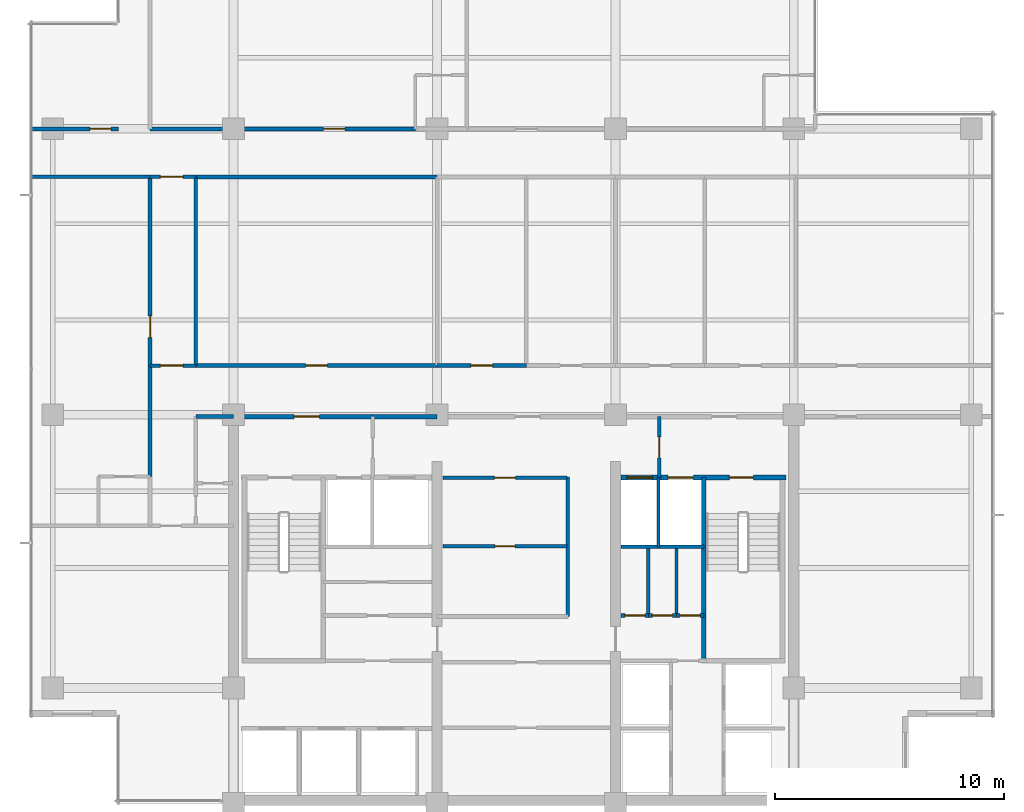
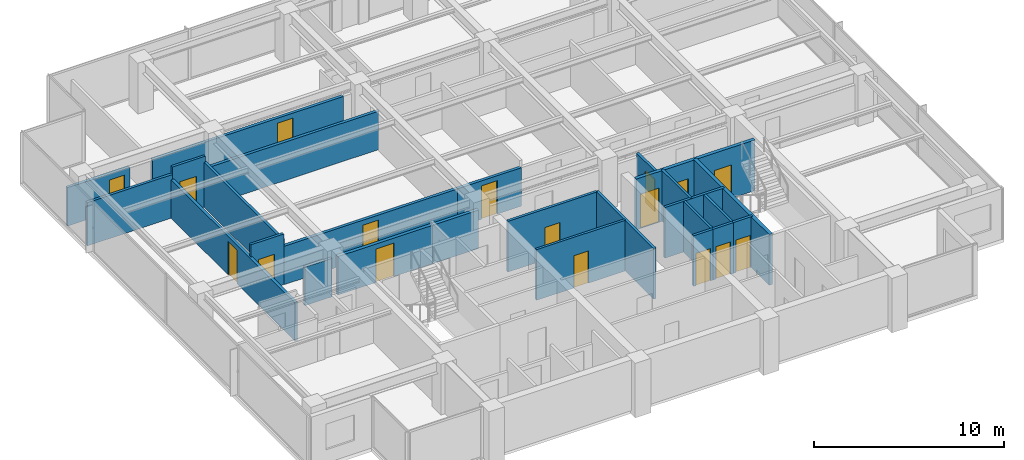
# One storey, part 8 of 15: 26 walls, 17 doors, 17 openings.
"""IFC4 building model written with IfcOpenShell, lengths in metres."""

from ifc_helpers import new_model, si_unit, direction, frame, frame_2d, origin, place, context, subcontext, project, spatial, rectangle, extrude, material, layer, layer_set, type_object, element, fill, save


model = new_model("IFC4")

# Units and contexts
model_context = context("Model", 3, precision=1e-05, world=origin(), true_north=direction((0.0, 1.0)))
body_context = subcontext(model_context, "Body", "Model", "MODEL_VIEW")
ifc_project = project(units=[si_unit("LENGTHUNIT", "METRE"), si_unit("AREAUNIT", "SQUARE_METRE"), si_unit("VOLUMEUNIT", "CUBIC_METRE"), si_unit("PLANEANGLEUNIT", "RADIAN"), si_unit("MASSUNIT", "GRAM", prefix="KILO")], contexts=[model_context])

# Site, building, storey
site_placement = place(None, origin())
site = spatial("IfcSite", under=ifc_project, at=site_placement, CompositionType="ELEMENT")
building_placement = place(site_placement, origin())
building = spatial("IfcBuilding", under=site, at=building_placement, Name="Qalmaran Belvedere Hotel", CompositionType="ELEMENT")
storey_placement = place(building_placement, frame((0.0, 0.0, 221.39990234375)))
storey = spatial("IfcBuildingStorey", under=building, at=storey_placement, Name="L56", CompositionType="ELEMENT", Elevation=221.39990234375)

# Walls
ifc_material_1 = material(Name="Gypsum Stud Partition")
ifc_layer_1 = layer(ifc_material_1, 0.14990234375, Name="Gypsum Stud Partition")
ifc_layer_set_1 = layer_set([ifc_layer_1], Name="Gypsum Stud Partition")
wall_type_1 = type_object("IfcWallType", Name="WL-INT-150-EI120", PredefinedType="PARTITIONING", material=ifc_layer_set_1)
wall_1_placement = place(storey_placement, frame((38.8798828125, 14.719970703125, 0.0), z_axis=(0.0, 0.0, 1.0), x_axis=(0.0, 1.0, 0.0)))
element("IfcWall", 1, at=wall_1_placement, inside=storey, type_object=wall_type_1, Name="L56 Partition WL-FF2M-L56", PredefinedType="PARTITIONING", context=body_context, shape_type="SweptSolid", body=[
    extrude(rectangle(XDim=3.0400390625, YDim=0.14990234375, at=frame_2d((1.52001953125, 0.0))), origin(), (0.0, 0.0, 1.0), 3.260009765625),
])
ifc_layer_2 = layer(ifc_material_1, 0.14990234375, Name="Gypsum Stud Partition")
ifc_layer_set_2 = layer_set([ifc_layer_2], Name="Gypsum Stud Partition")
wall_type_2 = type_object("IfcWallType", Name="WL-INT-150-EI60", PredefinedType="PARTITIONING", material=ifc_layer_set_2)
for number, where, z_axis, x_axis, name in (
    (2, (38.44140625, 11.719970703125, 0.0), (0.0, 0.0, 1.0), (0.0, 1.0, 0.0), "L56 Partition WL-L56-KEV1"),
    (3, (39.668701171875, 11.719970703125, 0.0), (0.0, 0.0, 1.0), (0.0, 1.0, 0.0), "L56 Partition WL-L56-KEV2"),
):
    element("IfcWall", number, at=place(storey_placement, frame(where, z_axis=z_axis, x_axis=x_axis)), inside=storey, type_object=wall_type_2, Name=name, PredefinedType="PARTITIONING", context=body_context, shape_type="SweptSolid", body=[
        extrude(rectangle(XDim=2.929931640625, YDim=0.14990234375, at=frame_2d((1.46484375, 0.0))), origin(), (0.0, 0.0, 1.0), 3.260009765625),
    ])

# Wall, opening, door
wall_2_placement = place(storey_placement, frame((29.449951171875, 14.7451171875, 0.0), z_axis=(0.0, 0.0, 1.0), x_axis=(1.0, 0.0, 0.0)))
wall_2 = element("IfcWall", 4, at=wall_2_placement, inside=storey, type_object=wall_type_2, Name="L56 Partition WL-L56-KPMHM", PredefinedType="PARTITIONING", context=body_context, shape_type="SweptSolid", body=[
    extrude(rectangle(XDim=5.429931640625, YDim=0.14990234375, at=frame_2d((2.71484375, 0.0))), origin(), (0.0, 0.0, 1.0), 3.260009765625),
])
opening_1_placement = place(wall_2_placement, frame((3.15478515625, 0.0, 0.0), z_axis=(0.0, 0.0, 1.0), x_axis=(-1.0, 0.0, 0.0)))
opening_1 = element("IfcOpeningElement", 5, at=opening_1_placement, cuts=wall_2, Name="Opening FD60B", PredefinedType="OPENING", context=body_context, shape_type="SweptSolid", body=[
    extrude(rectangle(XDim=0.8798828125, YDim=2.080078125, at=frame_2d((0.43994140625, 1.0400390625))), frame((0.0, 0.0849609375, 0.0), z_axis=(0.0, -1.0, 0.0), x_axis=(1.0, 0.0, 0.0)), (0.0, 0.0, 1.0), 0.169921875),
])
ifc_material_2 = material(Name="Steel S355JR", Category="steel")
door_type_1 = type_object("IfcDoorType", Name="DR-FD60B-880X2080", OperationType="NOTDEFINED", PredefinedType="DOOR", material=ifc_material_2)
door_1_placement = place(opening_1_placement, origin())
door_1 = element("IfcDoor", 6, at=door_1_placement, inside=storey, type_object=door_type_1, Name="L56 Executive Butler Pantry Door", OperationType="SINGLE_SWING_LEFT", OverallHeight=2.080078125, OverallWidth=0.8798828125, PredefinedType="DOOR", context=body_context, shape_type="SweptSolid", body=[
    extrude(rectangle(XDim=0.8798828125, YDim=2.080078125, at=frame_2d((0.43994140625, 1.0400390625))), frame((0.0, 0.02490234375, 0.0), z_axis=(0.0, -1.0, 0.0), x_axis=(1.0, 0.0, 0.0)), (0.0, 0.0, 1.0), 0.050048828125),
])
fill(opening_1, door_1)

wall_3_placement = place(storey_placement, frame((16.64990234375, 22.64990234375, 0.0), z_axis=(0.0, 0.0, 1.0), x_axis=(1.0, 0.0, 0.0)))
wall_3 = element("IfcWall", 7, at=wall_3_placement, inside=storey, type_object=wall_type_2, Name="L56 Partition WL-L56-XCW1", PredefinedType="PARTITIONING", context=body_context, shape_type="SweptSolid", body=[
    extrude(rectangle(XDim=2.0, YDim=0.14990234375, at=frame_2d((1.0, 0.0))), origin(), (0.0, 0.0, 1.0), 3.260009765625),
])
opening_2_placement = place(wall_3_placement, frame((0.449951171875, 0.0, 0.0)))
opening_2 = element("IfcOpeningElement", 8, at=opening_2_placement, cuts=wall_3, Name="Opening FD90B", PredefinedType="OPENING", context=body_context, shape_type="SweptSolid", body=[
    extrude(rectangle(XDim=1.0, YDim=2.14990234375, at=frame_2d((0.5, 1.074951171875))), frame((0.0, 0.0849609375, 0.0), z_axis=(0.0, -1.0, 0.0), x_axis=(1.0, 0.0, 0.0)), (0.0, 0.0, 1.0), 0.169921875),
])
door_type_2 = type_object("IfcDoorType", Name="DR-FD90B-1000X2150", OperationType="NOTDEFINED", PredefinedType="DOOR", material=ifc_material_2)
door_2_placement = place(opening_2_placement, origin())
door_2 = element("IfcDoor", 9, at=door_2_placement, inside=storey, type_object=door_type_2, Name="L56 West Corridor Smoke Door S", OperationType="SINGLE_SWING_RIGHT", OverallHeight=2.14990234375, OverallWidth=1.0, PredefinedType="DOOR", context=body_context, shape_type="SweptSolid", body=[
    extrude(rectangle(XDim=1.0, YDim=2.14990234375, at=frame_2d((0.5, 1.074951171875))), frame((0.0, 0.02490234375, 0.0), z_axis=(0.0, -1.0, 0.0), x_axis=(1.0, 0.0, 0.0)), (0.0, 0.0, 1.0), 0.050048828125),
])
fill(opening_2, door_2)

wall_4_placement = place(storey_placement, frame((16.64990234375, 30.89990234375, 0.0), z_axis=(0.0, 0.0, 1.0), x_axis=(1.0, 0.0, 0.0)))
wall_4 = element("IfcWall", 10, at=wall_4_placement, inside=storey, type_object=wall_type_2, Name="L56 Partition WL-L56-XCW2", PredefinedType="PARTITIONING", context=body_context, shape_type="SweptSolid", body=[
    extrude(rectangle(XDim=2.0, YDim=0.14990234375, at=frame_2d((1.0, 0.0))), origin(), (0.0, 0.0, 1.0), 3.260009765625),
])
opening_3_placement = place(wall_4_placement, frame((0.449951171875, 0.0, 0.0)))
opening_3 = element("IfcOpeningElement", 11, at=opening_3_placement, cuts=wall_4, Name="Opening FD90B", PredefinedType="OPENING", context=body_context, shape_type="SweptSolid", body=[
    extrude(rectangle(XDim=1.0, YDim=2.14990234375, at=frame_2d((0.5, 1.074951171875))), frame((0.0, 0.0849609375, 0.0), z_axis=(0.0, -1.0, 0.0), x_axis=(1.0, 0.0, 0.0)), (0.0, 0.0, 1.0), 0.169921875),
])
door_3_placement = place(opening_3_placement, origin())
door_3 = element("IfcDoor", 12, at=door_3_placement, inside=storey, type_object=door_type_2, Name="L56 West Corridor Smoke Door N", OperationType="SINGLE_SWING_LEFT", OverallHeight=2.14990234375, OverallWidth=1.0, PredefinedType="DOOR", context=body_context, shape_type="SweptSolid", body=[
    extrude(rectangle(XDim=1.0, YDim=2.14990234375, at=frame_2d((0.5, 1.074951171875))), frame((0.0, 0.02490234375, 0.0), z_axis=(0.0, -1.0, 0.0), x_axis=(1.0, 0.0, 0.0)), (0.0, 0.0, 1.0), 0.050048828125),
])
fill(opening_3, door_3)

ifc_layer_3 = layer(ifc_material_1, 0.159912109375, Name="Gypsum Stud Partition")
ifc_layer_set_3 = layer_set([ifc_layer_3], Name="Gypsum Stud Partition")
wall_type_3 = type_object("IfcWallType", Name="WL-INT-160-EI120", PredefinedType="PARTITIONING", material=ifc_layer_set_3)
wall_5_placement = place(storey_placement, frame((38.919921875, 17.760009765625, 0.0), z_axis=(0.0, 0.0, 1.0), x_axis=(0.0, 1.0, 0.0)))
wall_5 = element("IfcWall", 13, at=wall_5_placement, inside=storey, type_object=wall_type_3, Name="L56 Partition WL-FFSV2-L56", PredefinedType="PARTITIONING", context=body_context, shape_type="SweptSolid", body=[
    extrude(rectangle(XDim=2.659912109375, YDim=0.159912109375, at=frame_2d((1.330078125, 0.0))), origin(), (0.0, 0.0, 1.0), 2.7060546875),
])
opening_4_placement = place(wall_5_placement, frame((1.77001953125, 0.0, 0.0), z_axis=(0.0, 0.0, 1.0), x_axis=(-1.0, 0.0, 0.0)))
opening_4 = element("IfcOpeningElement", 14, at=opening_4_placement, cuts=wall_5, Name="Opening FD60S1", PredefinedType="OPENING", context=body_context, shape_type="SweptSolid", body=[
    extrude(rectangle(XDim=0.919921875, YDim=2.080078125, at=frame_2d((0.4599609375, 1.0400390625))), frame((0.0, 0.08984375, 0.0), z_axis=(0.0, -1.0, 0.0), x_axis=(1.0, 0.0, 0.0)), (0.0, 0.0, 1.0), 0.179931640625),
])
ifc_material_3 = material(Name="Engineered Oak Veneer")
door_type_3 = type_object("IfcDoorType", Name="DR-FD60S-920X2080", OperationType="NOTDEFINED", PredefinedType="DOOR", material=ifc_material_3)
door_4_placement = place(opening_4_placement, origin())
door_4 = element("IfcDoor", 15, at=door_4_placement, inside=storey, type_object=door_type_3, Name="L56 Service Lobby East Door", OperationType="SINGLE_SWING_LEFT", OverallHeight=2.080078125, OverallWidth=0.919921875, PredefinedType="DOOR", context=body_context, shape_type="SweptSolid", body=[
    extrude(rectangle(XDim=0.919921875, YDim=2.080078125, at=frame_2d((0.4599609375, 1.0400390625))), frame((0.0, 0.02490234375, 0.0), z_axis=(0.0, -1.0, 0.0), x_axis=(1.0, 0.0, 0.0)), (0.0, 0.0, 1.0), 0.050048828125),
])
fill(opening_4, door_4)

# Wall
wall_6_placement = place(storey_placement, frame((37.25, 14.719970703125, 0.0), z_axis=(0.0, 0.0, 1.0), x_axis=(1.0, 0.0, 0.0)))
element("IfcWall", 16, at=wall_6_placement, inside=storey, type_object=wall_type_3, Name="L56 Partition WL-FF2S-L56", PredefinedType="PARTITIONING", context=body_context, shape_type="SweptSolid", body=[
    extrude(rectangle(XDim=3.610107421875, YDim=0.159912109375, at=frame_2d((1.80517578125, 0.0))), origin(), (0.0, 0.0, 1.0), 3.260009765625),
])

# Wall, opening, door
ifc_layer_4 = layer(ifc_material_1, 0.159912109375, Name="Gypsum Stud Partition")
ifc_layer_set_4 = layer_set([ifc_layer_4], Name="Gypsum Stud Partition")
wall_type_4 = type_object("IfcWallType", Name="WL-INT-160-EI60", PredefinedType="PARTITIONING", material=ifc_layer_set_4)
wall_7_placement = place(storey_placement, frame((37.25, 11.719970703125, 0.0), z_axis=(0.0, 0.0, 1.0), x_axis=(1.0, 0.0, 0.0)))
wall_7 = element("IfcWall", 17, at=wall_7_placement, inside=storey, type_object=wall_type_4, Name="L56 Partition WL-L56-KEE1", PredefinedType="PARTITIONING", context=body_context, shape_type="SweptSolid", body=[
    extrude(rectangle(XDim=1.19140625, YDim=0.159912109375, at=frame_2d((0.595703125, 0.0))), origin(), (0.0, 0.0, 1.0), 3.260009765625),
])
opening_5_placement = place(wall_7_placement, frame((0.155517578125, 0.0, 0.0)))
opening_5 = element("IfcOpeningElement", 18, at=opening_5_placement, cuts=wall_7, Name="Opening FD60B", PredefinedType="OPENING", context=body_context, shape_type="SweptSolid", body=[
    extrude(rectangle(XDim=0.8798828125, YDim=2.080078125, at=frame_2d((0.43994140625, 1.0400390625))), frame((0.0, 0.08984375, 0.0), z_axis=(0.0, -1.0, 0.0), x_axis=(1.0, 0.0, 0.0)), (0.0, 0.0, 1.0), 0.179931640625),
])
door_5_placement = place(opening_5_placement, origin())
door_5 = element("IfcDoor", 19, at=door_5_placement, inside=storey, type_object=door_type_1, Name="L56 Hotel Linen Closet Door", OperationType="SINGLE_SWING_LEFT", OverallHeight=2.080078125, OverallWidth=0.8798828125, PredefinedType="DOOR", context=body_context, shape_type="SweptSolid", body=[
    extrude(rectangle(XDim=0.8798828125, YDim=2.080078125, at=frame_2d((0.43994140625, 1.0400390625))), frame((0.0, 0.02490234375, 0.0), z_axis=(0.0, -1.0, 0.0), x_axis=(1.0, 0.0, 0.0)), (0.0, 0.0, 1.0), 0.050048828125),
])
fill(opening_5, door_5)

wall_8_placement = place(storey_placement, frame((38.44140625, 11.719970703125, 0.0), z_axis=(0.0, 0.0, 1.0), x_axis=(1.0, 0.0, 0.0)))
wall_8 = element("IfcWall", 20, at=wall_8_placement, inside=storey, type_object=wall_type_4, Name="L56 Partition WL-L56-KEE2", PredefinedType="PARTITIONING", context=body_context, shape_type="SweptSolid", body=[
    extrude(rectangle(XDim=1.227294921875, YDim=0.159912109375, at=frame_2d((0.61376953125, 0.0))), origin(), (0.0, 0.0, 1.0), 3.260009765625),
])
opening_6_placement = place(wall_8_placement, frame((0.173583984375, 0.0, 0.0)))
opening_6 = element("IfcOpeningElement", 21, at=opening_6_placement, cuts=wall_8, Name="Opening FD60B", PredefinedType="OPENING", context=body_context, shape_type="SweptSolid", body=[
    extrude(rectangle(XDim=0.8798828125, YDim=2.080078125, at=frame_2d((0.43994140625, 1.0400390625))), frame((0.0, 0.08984375, 0.0), z_axis=(0.0, -1.0, 0.0), x_axis=(1.0, 0.0, 0.0)), (0.0, 0.0, 1.0), 0.179931640625),
])
door_6_placement = place(opening_6_placement, origin())
door_6 = element("IfcDoor", 22, at=door_6_placement, inside=storey, type_object=door_type_1, Name="L56 Guest Ice and Beverage Pantry Door", OperationType="SINGLE_SWING_RIGHT", OverallHeight=2.080078125, OverallWidth=0.8798828125, PredefinedType="DOOR", context=body_context, shape_type="SweptSolid", body=[
    extrude(rectangle(XDim=0.8798828125, YDim=2.080078125, at=frame_2d((0.43994140625, 1.0400390625))), frame((0.0, 0.02490234375, 0.0), z_axis=(0.0, -1.0, 0.0), x_axis=(1.0, 0.0, 0.0)), (0.0, 0.0, 1.0), 0.050048828125),
])
fill(opening_6, door_6)

wall_9_placement = place(storey_placement, frame((39.668701171875, 11.719970703125, 0.0), z_axis=(0.0, 0.0, 1.0), x_axis=(1.0, 0.0, 0.0)))
wall_9 = element("IfcWall", 23, at=wall_9_placement, inside=storey, type_object=wall_type_4, Name="L56 Partition WL-L56-KEE3", PredefinedType="PARTITIONING", context=body_context, shape_type="SweptSolid", body=[
    extrude(rectangle(XDim=1.19140625, YDim=0.159912109375, at=frame_2d((0.595703125, 0.0))), origin(), (0.0, 0.0, 1.0), 3.260009765625),
])
opening_7_placement = place(wall_9_placement, frame((0.155517578125, 0.0, 0.0)))
opening_7 = element("IfcOpeningElement", 24, at=opening_7_placement, cuts=wall_9, Name="Opening FD60B", PredefinedType="OPENING", context=body_context, shape_type="SweptSolid", body=[
    extrude(rectangle(XDim=0.8798828125, YDim=2.080078125, at=frame_2d((0.43994140625, 1.0400390625))), frame((0.0, 0.08984375, 0.0), z_axis=(0.0, -1.0, 0.0), x_axis=(1.0, 0.0, 0.0)), (0.0, 0.0, 1.0), 0.179931640625),
])
door_7_placement = place(opening_7_placement, origin())
door_7 = element("IfcDoor", 25, at=door_7_placement, inside=storey, type_object=door_type_1, Name="L56 Cleaner Equipment Store Door", OperationType="SINGLE_SWING_LEFT", OverallHeight=2.080078125, OverallWidth=0.8798828125, PredefinedType="DOOR", context=body_context, shape_type="SweptSolid", body=[
    extrude(rectangle(XDim=0.8798828125, YDim=2.080078125, at=frame_2d((0.43994140625, 1.0400390625))), frame((0.0, 0.02490234375, 0.0), z_axis=(0.0, -1.0, 0.0), x_axis=(1.0, 0.0, 0.0)), (0.0, 0.0, 1.0), 0.050048828125),
])
fill(opening_7, door_7)

# Wall
wall_10_placement = place(storey_placement, frame((34.919921875, 11.679931640625, 0.0), z_axis=(0.0, 0.0, 1.0), x_axis=(0.0, 1.0, 0.0)))
element("IfcWall", 26, at=wall_10_placement, inside=storey, type_object=wall_type_4, Name="L56 Partition WL-CLLV-L56", PredefinedType="PARTITIONING", context=body_context, shape_type="SweptSolid", body=[
    extrude(rectangle(XDim=6.10009765625, YDim=0.159912109375, at=frame_2d((3.050048828125, 0.0))), origin(), (0.0, 0.0, 1.0), 3.260009765625),
])

# Wall, opening, door
wall_11_placement = place(storey_placement, frame((29.449951171875, 17.75, 0.0), z_axis=(0.0, 0.0, 1.0), x_axis=(1.0, 0.0, 0.0)))
wall_11 = element("IfcWall", 27, at=wall_11_placement, inside=storey, type_object=wall_type_4, Name="L56 Partition WL-L56-KPME1", PredefinedType="PARTITIONING", context=body_context, shape_type="SweptSolid", body=[
    extrude(rectangle(XDim=5.429931640625, YDim=0.159912109375, at=frame_2d((2.71484375, 0.0))), origin(), (0.0, 0.0, 1.0), 3.260009765625),
])
opening_8_placement = place(wall_11_placement, frame((3.1748046875, 0.0, 0.0), z_axis=(0.0, 0.0, 1.0), x_axis=(-1.0, 0.0, 0.0)))
opening_8 = element("IfcOpeningElement", 28, at=opening_8_placement, cuts=wall_11, Name="Opening FD60S1", PredefinedType="OPENING", context=body_context, shape_type="SweptSolid", body=[
    extrude(rectangle(XDim=0.919921875, YDim=2.080078125, at=frame_2d((0.4599609375, 1.0400390625))), frame((0.0, 0.08984375, 0.0), z_axis=(0.0, -1.0, 0.0), x_axis=(1.0, 0.0, 0.0)), (0.0, 0.0, 1.0), 0.179931640625),
])
door_8_placement = place(opening_8_placement, origin())
door_8 = element("IfcDoor", 29, at=door_8_placement, inside=storey, type_object=door_type_3, Name="L56 Core Tableware Store Door", OperationType="SINGLE_SWING_RIGHT", OverallHeight=2.080078125, OverallWidth=0.919921875, PredefinedType="DOOR", context=body_context, shape_type="SweptSolid", body=[
    extrude(rectangle(XDim=0.919921875, YDim=2.080078125, at=frame_2d((0.4599609375, 1.0400390625))), frame((0.0, 0.02490234375, 0.0), z_axis=(0.0, -1.0, 0.0), x_axis=(1.0, 0.0, 0.0)), (0.0, 0.0, 1.0), 0.050048828125),
])
fill(opening_8, door_8)

# Walls
wall_12_placement = place(storey_placement, frame((18.64990234375, 20.419921875, 0.0), z_axis=(0.0, 0.0, 1.0), x_axis=(1.0, 0.0, 0.0)))
element("IfcWall", 30, at=wall_12_placement, inside=storey, type_object=wall_type_4, Name="L56 Partition WL-L56-WCLN", PredefinedType="PARTITIONING", context=body_context, shape_type="SweptSolid", body=[
    extrude(rectangle(XDim=1.650146484375, YDim=0.159912109375, at=frame_2d((0.8251953125, 0.0))), origin(), (0.0, 0.0, 1.0), 2.47216796875),
])
wall_13_placement = place(storey_placement, frame((18.64990234375, 22.64990234375, 0.0), z_axis=(0.0, 0.0, 1.0), x_axis=(0.0, 1.0, 0.0)))
element("IfcWall", 31, at=wall_13_placement, inside=storey, type_object=wall_type_4, Name="L56 Partition WL-L56-MIDVL", PredefinedType="PARTITIONING", context=body_context, shape_type="SweptSolid", body=[
    extrude(rectangle(XDim=8.25, YDim=0.159912109375, at=frame_2d((4.125, 0.0))), origin(), (0.0, 0.0, 1.0), 2.88720703125),
])
wall_14_placement = place(storey_placement, frame((11.469970703125, 30.89990234375, 0.0), z_axis=(0.0, 0.0, 1.0), x_axis=(1.0, 0.0, 0.0)))
element("IfcWall", 32, at=wall_14_placement, inside=storey, type_object=wall_type_4, Name="L56 Partition WL-L56-WU00", PredefinedType="PARTITIONING", context=body_context, shape_type="SweptSolid", body=[
    extrude(rectangle(XDim=5.179931640625, YDim=0.159912109375, at=frame_2d((2.58984375, 0.0))), origin(), (0.0, 0.0, 1.0), 2.781982421875),
])

# Wall, opening, door
ifc_layer_5 = layer(ifc_material_1, 0.179931640625, Name="Gypsum Stud Partition")
ifc_layer_set_5 = layer_set([ifc_layer_5], Name="Gypsum Stud Partition")
wall_type_5 = type_object("IfcWallType", Name="WL-INT-180-EI60", PredefinedType="PARTITIONING", material=ifc_layer_set_5)
wall_15_placement = place(storey_placement, frame((18.64990234375, 22.64990234375, 0.0), z_axis=(0.0, 0.0, 1.0), x_axis=(1.0, 0.0, 0.0)))
wall_15 = element("IfcWall", 33, at=wall_15_placement, inside=storey, type_object=wall_type_5, Name="L56 Partition WL-L56-MIDD1", PredefinedType="PARTITIONING", context=body_context, shape_type="SweptSolid", body=[
    extrude(rectangle(XDim=10.550048828125, YDim=0.179931640625, at=frame_2d((5.27490234375, 0.0))), origin(), (0.0, 0.0, 1.0), 2.47216796875),
])
opening_9_placement = place(wall_15_placement, frame((4.800048828125, 0.0, 0.0)))
opening_9 = element("IfcOpeningElement", 34, at=opening_9_placement, cuts=wall_15, Name="Opening FD60", PredefinedType="OPENING", context=body_context, shape_type="SweptSolid", body=[
    extrude(rectangle(XDim=0.949951171875, YDim=2.14990234375, at=frame_2d((0.47509765625, 1.074951171875))), frame((0.0, 0.10009765625, 0.0), z_axis=(0.0, -1.0, 0.0), x_axis=(1.0, 0.0, 0.0)), (0.0, 0.0, 1.0), 0.199951171875),
])
door_type_4 = type_object("IfcDoorType", Name="DR-FD60-950X2150", OperationType="NOTDEFINED", PredefinedType="DOOR", material=ifc_material_3)
door_9_placement = place(opening_9_placement, origin())
door_9 = element("IfcDoor", 35, at=door_9_placement, inside=storey, type_object=door_type_4, Name="L56 Housekeeping and Linen Room Door", OperationType="SINGLE_SWING_RIGHT", OverallHeight=2.14990234375, OverallWidth=0.949951171875, PredefinedType="DOOR", context=body_context, shape_type="SweptSolid", body=[
    extrude(rectangle(XDim=0.949951171875, YDim=2.14990234375, at=frame_2d((0.47509765625, 1.074951171875))), frame((0.0, 0.02490234375, 0.0), z_axis=(0.0, -1.0, 0.0), x_axis=(1.0, 0.0, 0.0)), (0.0, 0.0, 1.0), 0.050048828125),
])
fill(opening_9, door_9)

# Wall
wall_16_placement = place(storey_placement, frame((18.64990234375, 30.89990234375, 0.0), z_axis=(0.0, 0.0, 1.0), x_axis=(1.0, 0.0, 0.0)))
element("IfcWall", 36, at=wall_16_placement, inside=storey, type_object=wall_type_5, Name="L56 Partition WL-L56-MIDO1", PredefinedType="PARTITIONING", context=body_context, shape_type="SweptSolid", body=[
    extrude(rectangle(XDim=10.550048828125, YDim=0.179931640625, at=frame_2d((5.27490234375, 0.0))), origin(), (0.0, 0.0, 1.0), 2.47216796875),
])

# Wall, opening, door
wall_17_placement = place(storey_placement, frame((29.199951171875, 22.64990234375, 0.0), z_axis=(0.0, 0.0, 1.0), x_axis=(1.0, 0.0, 0.0)))
wall_17 = element("IfcWall", 37, at=wall_17_placement, inside=storey, type_object=wall_type_5, Name="L56 Partition WL-L56-MIDD2", PredefinedType="PARTITIONING", context=body_context, shape_type="SweptSolid", body=[
    extrude(rectangle(XDim=3.900146484375, YDim=0.179931640625, at=frame_2d((1.9501953125, 0.0))), origin(), (0.0, 0.0, 1.0), 2.47216796875),
])
opening_10_placement = place(wall_17_placement, frame((1.47509765625, 0.0, 0.0)))
opening_10 = element("IfcOpeningElement", 38, at=opening_10_placement, cuts=wall_17, Name="Opening FD60", PredefinedType="OPENING", context=body_context, shape_type="SweptSolid", body=[
    extrude(rectangle(XDim=0.949951171875, YDim=2.14990234375, at=frame_2d((0.47509765625, 1.074951171875))), frame((0.0, 0.10009765625, 0.0), z_axis=(0.0, -1.0, 0.0), x_axis=(1.0, 0.0, 0.0)), (0.0, 0.0, 1.0), 0.199951171875),
])
door_10_placement = place(opening_10_placement, origin())
door_10 = element("IfcDoor", 39, at=door_10_placement, inside=storey, type_object=door_type_4, Name="L56 Drawing Lounge Door", OperationType="SINGLE_SWING_LEFT", OverallHeight=2.14990234375, OverallWidth=0.949951171875, PredefinedType="DOOR", context=body_context, shape_type="SweptSolid", body=[
    extrude(rectangle(XDim=0.949951171875, YDim=2.14990234375, at=frame_2d((0.47509765625, 1.074951171875))), frame((0.0, 0.02490234375, 0.0), z_axis=(0.0, -1.0, 0.0), x_axis=(1.0, 0.0, 0.0)), (0.0, 0.0, 1.0), 0.050048828125),
])
fill(opening_10, door_10)

wall_18_placement = place(storey_placement, frame((16.64990234375, 33.0, 0.0), z_axis=(0.0, 0.0, 1.0), x_axis=(1.0, 0.0, 0.0)))
wall_18 = element("IfcWall", 40, at=wall_18_placement, inside=storey, type_object=wall_type_5, Name="L56 Partition WL-L56-NEC00", PredefinedType="PARTITIONING", context=body_context, shape_type="SweptSolid", body=[
    extrude(rectangle(XDim=11.60009765625, YDim=0.179931640625, at=frame_2d((5.800048828125, 0.0))), origin(), (0.0, 0.0, 1.0), 2.47216796875),
])
opening_11_placement = place(wall_18_placement, frame((7.580810546875, 0.0, 0.0)))
opening_11 = element("IfcOpeningElement", 41, at=opening_11_placement, cuts=wall_18, Name="Opening FD60", PredefinedType="OPENING", context=body_context, shape_type="SweptSolid", body=[
    extrude(rectangle(XDim=0.949951171875, YDim=2.14990234375, at=frame_2d((0.47509765625, 1.074951171875))), frame((0.0, 0.10009765625, 0.0), z_axis=(0.0, -1.0, 0.0), x_axis=(1.0, 0.0, 0.0)), (0.0, 0.0, 1.0), 0.199951171875),
])
door_11_placement = place(opening_11_placement, origin())
door_11 = element("IfcDoor", 42, at=door_11_placement, inside=storey, type_object=door_type_4, Name="L56 Guest Entrance Door N01", OperationType="SINGLE_SWING_RIGHT", OverallHeight=2.14990234375, OverallWidth=0.949951171875, PredefinedType="DOOR", context=body_context, shape_type="SweptSolid", body=[
    extrude(rectangle(XDim=0.949951171875, YDim=2.14990234375, at=frame_2d((0.47509765625, 1.074951171875))), frame((0.0, 0.02490234375, 0.0), z_axis=(0.0, -1.0, 0.0), x_axis=(1.0, 0.0, 0.0)), (0.0, 0.0, 1.0), 0.050048828125),
])
fill(opening_11, door_11)

wall_19_placement = place(storey_placement, frame((16.64990234375, 17.800048828125, 0.0), z_axis=(0.0, 0.0, 1.0), x_axis=(0.0, 1.0, 0.0)))
wall_19 = element("IfcWall", 43, at=wall_19_placement, inside=storey, type_object=wall_type_5, Name="L56 Partition WL-L56-WEC00", PredefinedType="PARTITIONING", context=body_context, shape_type="SweptSolid", body=[
    extrude(rectangle(XDim=13.099853515625, YDim=0.179931640625, at=frame_2d((6.5498046875, 0.0))), origin(), (0.0, 0.0, 1.0), 2.47216796875),
])
opening_12_placement = place(wall_19_placement, frame((6.074951171875, 0.0, 0.0)))
opening_12 = element("IfcOpeningElement", 44, at=opening_12_placement, cuts=wall_19, Name="Opening FD60", PredefinedType="OPENING", context=body_context, shape_type="SweptSolid", body=[
    extrude(rectangle(XDim=0.949951171875, YDim=2.14990234375, at=frame_2d((0.47509765625, 1.074951171875))), frame((0.0, 0.10009765625, 0.0), z_axis=(0.0, -1.0, 0.0), x_axis=(1.0, 0.0, 0.0)), (0.0, 0.0, 1.0), 0.199951171875),
])
door_12_placement = place(opening_12_placement, origin())
door_12 = element("IfcDoor", 45, at=door_12_placement, inside=storey, type_object=door_type_4, Name="L56 W Wing Door 01", OperationType="SINGLE_SWING_RIGHT", OverallHeight=2.14990234375, OverallWidth=0.949951171875, PredefinedType="DOOR", context=body_context, shape_type="SweptSolid", body=[
    extrude(rectangle(XDim=0.949951171875, YDim=2.14990234375, at=frame_2d((0.47509765625, 1.074951171875))), frame((0.0, 0.02490234375, 0.0), z_axis=(0.0, -1.0, 0.0), x_axis=(1.0, 0.0, 0.0)), (0.0, 0.0, 1.0), 0.050048828125),
])
fill(opening_12, door_12)

wall_20_placement = place(storey_placement, frame((11.469970703125, 33.0, 0.0), z_axis=(0.0, 0.0, 1.0), x_axis=(1.0, 0.0, 0.0)))
wall_20 = element("IfcWall", 46, at=wall_20_placement, inside=storey, type_object=wall_type_5, Name="L56 Partition WL-L56-NWSD", PredefinedType="PARTITIONING", context=body_context, shape_type="SweptSolid", body=[
    extrude(rectangle(XDim=3.800048828125, YDim=0.179931640625, at=frame_2d((1.89990234375, 0.0))), origin(), (0.0, 0.0, 1.0), 2.47216796875),
])
opening_13_placement = place(wall_20_placement, frame((2.543701171875, 0.0, 0.0)))
opening_13 = element("IfcOpeningElement", 47, at=opening_13_placement, cuts=wall_20, Name="Opening FD60S1", PredefinedType="OPENING", context=body_context, shape_type="SweptSolid", body=[
    extrude(rectangle(XDim=0.919921875, YDim=2.080078125, at=frame_2d((0.4599609375, 1.0400390625))), frame((0.0, 0.10009765625, 0.0), z_axis=(0.0, -1.0, 0.0), x_axis=(1.0, 0.0, 0.0)), (0.0, 0.0, 1.0), 0.199951171875),
])
door_13_placement = place(opening_13_placement, origin())
door_13 = element("IfcDoor", 48, at=door_13_placement, inside=storey, type_object=door_type_3, Name="L56 NW Belvedere Study Door", OperationType="SINGLE_SWING_LEFT", OverallHeight=2.080078125, OverallWidth=0.919921875, PredefinedType="DOOR", context=body_context, shape_type="SweptSolid", body=[
    extrude(rectangle(XDim=0.919921875, YDim=2.080078125, at=frame_2d((0.4599609375, 1.0400390625))), frame((0.0, 0.02490234375, 0.0), z_axis=(0.0, -1.0, 0.0), x_axis=(1.0, 0.0, 0.0)), (0.0, 0.0, 1.0), 0.050048828125),
])
fill(opening_13, door_13)

ifc_material_4 = material(Name="Concrete C30/37 Blockwork", Category="masonry")
ifc_layer_6 = layer(ifc_material_4, 0.199951171875, Name="Concrete C30/37 Blockwork")
ifc_layer_set_6 = layer_set([ifc_layer_6], Name="Concrete C30/37 Blockwork")
wall_type_6 = type_object("IfcWallType", Name="WL-INT-200-EI120", PredefinedType="PARTITIONING", material=ifc_layer_set_6)
wall_21_placement = place(storey_placement, frame((20.64990234375, 20.419921875, 0.0), z_axis=(0.0, 0.0, 1.0), x_axis=(1.0, 0.0, 0.0)))
wall_21 = element("IfcWall", 49, at=wall_21_placement, inside=storey, type_object=wall_type_6, Name="L56 Partition WL-CN1A-L56", PredefinedType="PARTITIONING", context=body_context, shape_type="SweptSolid", body=[
    extrude(rectangle(XDim=5.72998046875, YDim=0.199951171875, at=frame_2d((2.864990234375, 0.0))), origin(), (0.0, 0.0, 1.0), 2.47216796875),
])
opening_14_placement = place(wall_21_placement, frame((2.300048828125, 0.0, 0.0)))
opening_14 = element("IfcOpeningElement", 50, at=opening_14_placement, cuts=wall_21, Name="Opening FD90", PredefinedType="OPENING", context=body_context, shape_type="SweptSolid", body=[
    extrude(rectangle(XDim=1.10009765625, YDim=2.14990234375, at=frame_2d((0.550048828125, 1.074951171875))), frame((0.0, 0.10986328125, 0.0), z_axis=(0.0, -1.0, 0.0), x_axis=(1.0, 0.0, 0.0)), (0.0, 0.0, 1.0), 0.219970703125),
])
door_type_5 = type_object("IfcDoorType", Name="DR-FD90-1100X2150", OperationType="NOTDEFINED", PredefinedType="DOOR", material=ifc_material_2)
door_14_placement = place(opening_14_placement, origin())
door_14 = element("IfcDoor", 51, at=door_14_placement, inside=storey, type_object=door_type_5, Name="L56 FF1 Lobby Corridor Door", OperationType="SINGLE_SWING_RIGHT", OverallHeight=2.14990234375, OverallWidth=1.10009765625, PredefinedType="DOOR", context=body_context, shape_type="SweptSolid", body=[
    extrude(rectangle(XDim=1.10009765625, YDim=2.14990234375, at=frame_2d((0.550048828125, 1.074951171875))), frame((0.0, 0.02490234375, 0.0), z_axis=(0.0, -1.0, 0.0), x_axis=(1.0, 0.0, 0.0)), (0.0, 0.0, 1.0), 0.050048828125),
])
fill(opening_14, door_14)

# Walls
wall_22_placement = place(storey_placement, frame((26.3798828125, 20.419921875, 0.0), z_axis=(0.0, 0.0, 1.0), x_axis=(1.0, 0.0, 0.0)))
element("IfcWall", 52, at=wall_22_placement, inside=storey, type_object=wall_type_6, Name="L56 Partition WL-CN1B-L56", PredefinedType="PARTITIONING", context=body_context, shape_type="SweptSolid", body=[
    extrude(rectangle(XDim=2.820068359375, YDim=0.199951171875, at=frame_2d((1.41015625, 0.0))), origin(), (0.0, 0.0, 1.0), 2.47216796875),
])
ifc_material_5 = material(Name="Concrete C50/60", Category="concrete")
ifc_layer_7 = layer(ifc_material_5, 0.2099609375, Name="Concrete C50/60")
ifc_layer_set_7 = layer_set([ifc_layer_7], Name="Concrete C50/60")
wall_type_7 = type_object("IfcWallType", Name="WL-STAIR-210-C50", PredefinedType="SHEAR", material=ifc_layer_set_7)
wall_23_placement = place(storey_placement, frame((40.85498046875, 9.7451171875, 0.0), z_axis=(0.0, 0.0, 1.0), x_axis=(0.0, 1.0, 0.0)))
element("IfcWall", 53, at=wall_23_placement, inside=storey, type_object=wall_type_7, Name="L56 Stair ST-2 West Bearing Wall", PredefinedType="SHEAR", context=body_context, shape_type="SweptSolid", body=[
    extrude(rectangle(XDim=8.009765625, YDim=0.2099609375, at=frame_2d((4.0048828125, 0.0))), origin(), (0.0, 0.0, 1.0), 3.260009765625),
])

# Wall, openings, doors
wall_24_placement = place(storey_placement, frame((37.25, 17.7548828125, 0.0), z_axis=(0.0, 0.0, 1.0), x_axis=(1.0, 0.0, 0.0)))
wall_24 = element("IfcWall", 54, at=wall_24_placement, inside=storey, type_object=wall_type_7, Name="L56 East Lobby and Stair ST-2 North Bearing Wall", PredefinedType="SHEAR", context=body_context, shape_type="SweptSolid", body=[
    extrude(rectangle(XDim=7.199951171875, YDim=0.2099609375, at=frame_2d((3.60009765625, 0.0))), origin(), (0.0, 0.0, 1.0), 3.260009765625),
])
opening_15_placement = place(wall_24_placement, frame((0.25, 0.0, 0.0)))
opening_15 = element("IfcOpeningElement", 55, at=opening_15_placement, cuts=wall_24, Name="Opening LD-SV", PredefinedType="OPENING", context=body_context, shape_type="SweptSolid", body=[
    extrude(rectangle(XDim=1.1201171875, YDim=2.199951171875, at=frame_2d((0.56005859375, 1.10009765625))), frame((0.0, 0.114990234375, 0.0), z_axis=(0.0, -1.0, 0.0), x_axis=(1.0, 0.0, 0.0)), (0.0, 0.0, 1.0), 0.22998046875),
])
opening_16_placement = place(wall_24_placement, frame((2.050048828125, 0.0, 0.0)))
opening_16 = element("IfcOpeningElement", 56, at=opening_16_placement, cuts=wall_24, Name="Opening LD-FF", PredefinedType="OPENING", context=body_context, shape_type="SweptSolid", body=[
    extrude(rectangle(XDim=1.10009765625, YDim=2.179931640625, at=frame_2d((0.550048828125, 1.08984375))), frame((0.0, 0.114990234375, 0.0), z_axis=(0.0, -1.0, 0.0), x_axis=(1.0, 0.0, 0.0)), (0.0, 0.0, 1.0), 0.22998046875),
])
opening_17_placement = place(wall_24_placement, frame((5.780029296875, 0.0, 0.0), z_axis=(0.0, 0.0, 1.0), x_axis=(-1.0, 0.0, 0.0)))
opening_17 = element("IfcOpeningElement", 57, at=opening_17_placement, cuts=wall_24, Name="Opening FD90S2", PredefinedType="OPENING", context=body_context, shape_type="SweptSolid", body=[
    extrude(rectangle(XDim=1.050048828125, YDim=2.14990234375, at=frame_2d((0.52490234375, 1.074951171875))), frame((0.0, 0.114990234375, 0.0), z_axis=(0.0, -1.0, 0.0), x_axis=(1.0, 0.0, 0.0)), (0.0, 0.0, 1.0), 0.22998046875),
])
door_type_6 = type_object("IfcDoorType", Name="DR-FD90S-1050X2150", OperationType="NOTDEFINED", PredefinedType="DOOR", material=ifc_material_2)
door_15_placement = place(opening_17_placement, origin())
door_15 = element("IfcDoor", 58, at=door_15_placement, inside=storey, type_object=door_type_6, Name="L56 Stair ST-2 Door", OperationType="SINGLE_SWING_LEFT", OverallHeight=2.14990234375, OverallWidth=1.050048828125, PredefinedType="DOOR", context=body_context, shape_type="SweptSolid", body=[
    extrude(rectangle(XDim=1.050048828125, YDim=2.14990234375, at=frame_2d((0.52490234375, 1.074951171875))), frame((0.0, 0.02490234375, 0.0), z_axis=(0.0, -1.0, 0.0), x_axis=(1.0, 0.0, 0.0)), (0.0, 0.0, 1.0), 0.050048828125),
])
fill(opening_17, door_15)
ifc_material_6 = material(Name="Stainless Steel 1.4401", Category="steel")
door_type_7 = type_object("IfcDoorType", Name="DR-LIFT-FF-1100X2180", OperationType="DOUBLE_DOOR_SLIDING", PredefinedType="DOOR", material=ifc_material_6)
door_16_placement = place(opening_16_placement, origin())
door_16 = element("IfcDoor", 59, at=door_16_placement, inside=storey, type_object=door_type_7, Name="L56 FF2 Lift Landing Door", OperationType="DOUBLE_DOOR_SLIDING", OverallHeight=2.179931640625, OverallWidth=1.10009765625, PredefinedType="DOOR", context=body_context, shape_type="SweptSolid", body=[
    extrude(rectangle(XDim=1.10009765625, YDim=2.179931640625, at=frame_2d((0.550048828125, 1.08984375))), frame((0.0, 0.02490234375, 0.0), z_axis=(0.0, -1.0, 0.0), x_axis=(1.0, 0.0, 0.0)), (0.0, 0.0, 1.0), 0.050048828125),
])
fill(opening_16, door_16)
door_type_8 = type_object("IfcDoorType", Name="DR-LIFT-SV-1120X2200", OperationType="DOUBLE_DOOR_SLIDING", PredefinedType="DOOR", material=ifc_material_6)
door_17_placement = place(opening_15_placement, origin())
door_17 = element("IfcDoor", 60, at=door_17_placement, inside=storey, type_object=door_type_8, Name="L56 SV2 Lift Landing Door", OperationType="DOUBLE_DOOR_SLIDING", OverallHeight=2.199951171875, OverallWidth=1.1201171875, PredefinedType="DOOR", context=body_context, shape_type="SweptSolid", body=[
    extrude(rectangle(XDim=1.1201171875, YDim=2.199951171875, at=frame_2d((0.56005859375, 1.10009765625))), frame((0.0, 0.02490234375, 0.0), z_axis=(0.0, -1.0, 0.0), x_axis=(1.0, 0.0, 0.0)), (0.0, 0.0, 1.0), 0.050048828125),
])
fill(opening_15, door_17)

save(model, "model.ifc")
